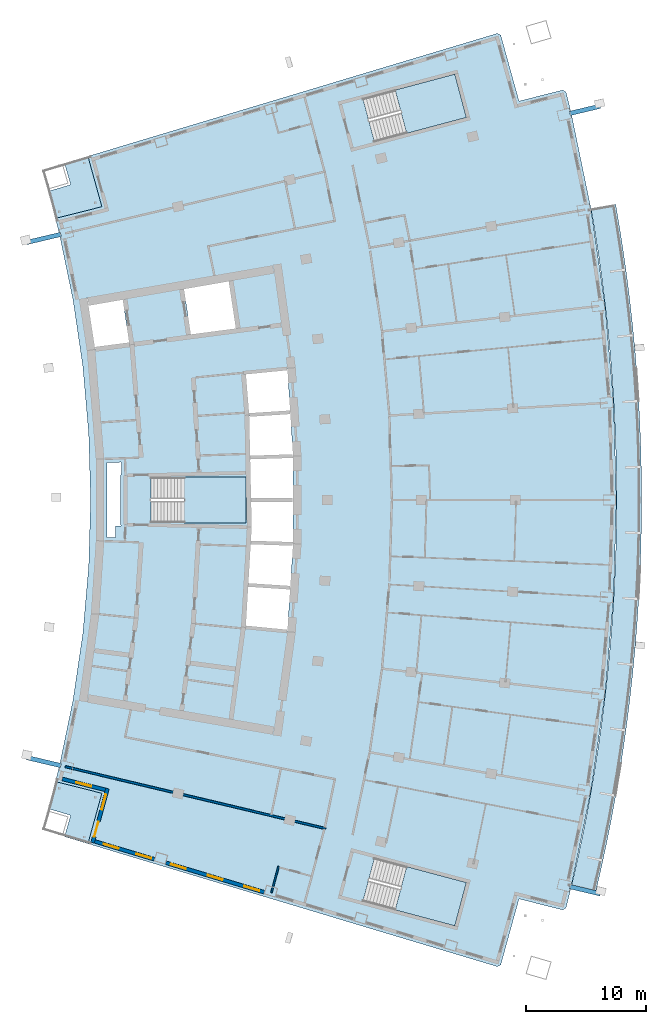
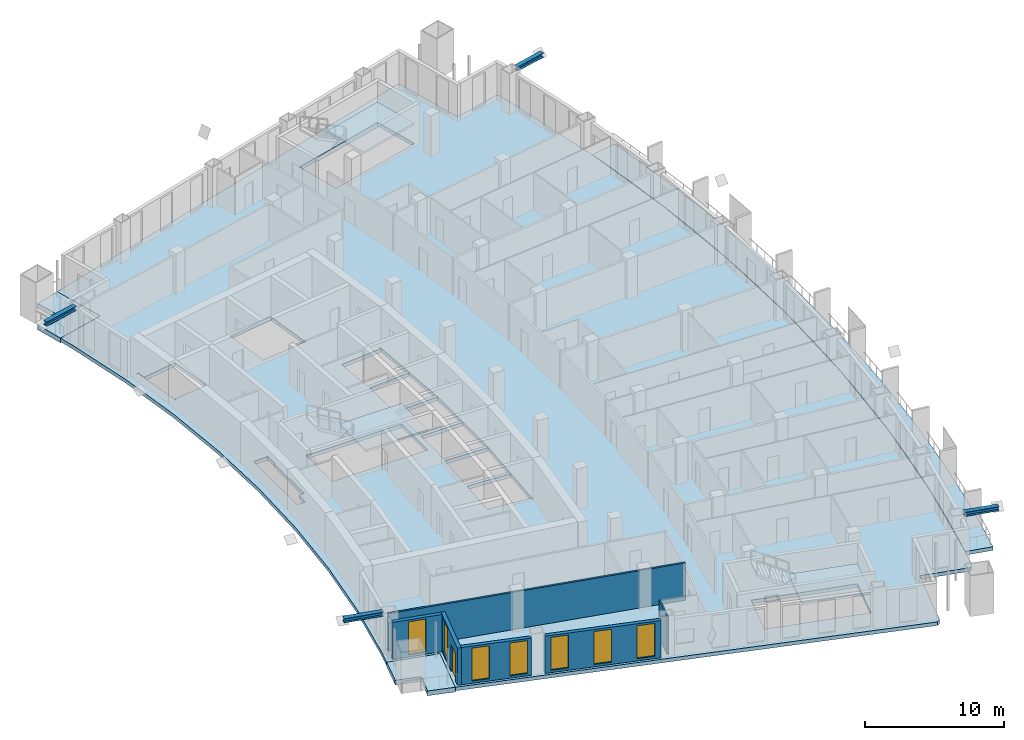
# One storey, part 9 of 20: 7 slabs, 7 windows, 6 walls, 4 members, 1 door, 8 openings, 3 elements without a shape of their own.
"""IFC4 building model written with IfcOpenShell, lengths in metres."""

from ifc_helpers import new_model, si_unit, direction, frame, frame_2d, origin, origin_2d, place, context, subcontext, project, spatial, polyline, rectangle, i_section, outline, extrude, material, layer, layer_set, material_profile, profile_set, type_object, element, fill, aggregate, save


model = new_model("IFC4")

# Units and contexts
model_context = context("Model", 3, precision=1e-05, world=origin(), true_north=direction((0.0, 1.0)))
body_context = subcontext(model_context, "Body", "Model", "MODEL_VIEW")
ifc_project = project(units=[si_unit("LENGTHUNIT", "METRE"), si_unit("AREAUNIT", "SQUARE_METRE"), si_unit("VOLUMEUNIT", "CUBIC_METRE"), si_unit("PLANEANGLEUNIT", "RADIAN"), si_unit("MASSUNIT", "GRAM", prefix="KILO")], contexts=[model_context])

# Site, building, storey
site_placement = place(None, origin())
site = spatial("IfcSite", under=ifc_project, at=site_placement, CompositionType="ELEMENT")
building_placement = place(site_placement, origin())
building = spatial("IfcBuilding", under=site, at=building_placement, Name="Alderwake Tower", CompositionType="ELEMENT")
storey_placement = place(building_placement, frame((0.0, 0.0, 167.60009765625)))
storey = spatial("IfcBuildingStorey", under=building, at=storey_placement, Name="L41", CompositionType="ELEMENT", Elevation=167.60009765625)

# Members
ifc_material_1 = material(Name="Steel ASTM A992 Grade 50", Category="steel")
ifc_material_profile = material_profile(ifc_material_1, i_section(OverallWidth=0.3740234375, OverallDepth=0.372314453125, WebThickness=0.016357421875, FlangeThickness=0.026123046875, at=origin_2d()), Name="W14X132")
ifc_profile_set = profile_set([ifc_material_profile], Name="Steel ASTM A992 Grade 50")
member_type = type_object("IfcMemberType", Name="Brace node stub W14X132", PredefinedType="MEMBER", material=ifc_profile_set)
member_1_placement = place(storey_placement, frame((56.1083984375, 28.650390625, 3.393798828125), z_axis=(0.973042574804, -0.230625557168, 0.0), x_axis=(0.230625557168, 0.973042574804, 0.0)))
element("IfcMember", 1, at=member_1_placement, inside=storey, type_object=member_type, Name="Brace node stub BS.FR03-C5.1712", PredefinedType="MEMBER", context=body_context, shape_type="SweptSolid", body=[
    extrude(i_section(OverallWidth=0.3740234375, OverallDepth=0.372314453125, WebThickness=0.016357421875, FlangeThickness=0.026123046875, at=origin_2d()), origin(), (0.0, 0.0, 1.0), 2.598876953125),
])
member_2_placement = place(storey_placement, frame((56.109375, 93.34619140625, 3.393798828125), z_axis=(0.972747717591, 0.231866077556, 0.0), x_axis=(-0.231866077556, 0.972747717591, 0.0)))
element("IfcMember", 2, at=member_2_placement, inside=storey, type_object=member_type, Name="Brace node stub BS.FR11-C5.1712", PredefinedType="MEMBER", context=body_context, shape_type="SweptSolid", body=[
    extrude(i_section(OverallWidth=0.3740234375, OverallDepth=0.372314453125, WebThickness=0.016357421875, FlangeThickness=0.026123046875, at=origin_2d()), origin(), (0.0, 0.0, 1.0), 2.5986328125),
])
for number, where, z_axis, x_axis, name in (
    (3, (13.49560546875, 38.779541015625, 3.393798828125), (-0.972901754928, 0.231218890357, 0.0), (-0.231218890357, -0.972901754928, 0.0), "Brace node stub BS.RR03-C0.1712"),
    (4, (13.49560546875, 83.220458984375, 3.393798828125), (-0.972901754928, -0.231218890357, 0.0), (0.231218890357, -0.972901754928, 0.0), "Brace node stub BS.RR11-C0.1712"),
):
    element("IfcMember", number, at=place(storey_placement, frame(where, z_axis=z_axis, x_axis=x_axis)), inside=storey, type_object=member_type, Name=name, PredefinedType="MEMBER", context=body_context, shape_type="SweptSolid", body=[
        extrude(i_section(OverallWidth=0.3740234375, OverallDepth=0.372314453125, WebThickness=0.016357421875, FlangeThickness=0.026123046875, at=origin_2d()), origin(), (0.0, 0.0, 1.0), 2.95849609375),
    ])

# Slabs
ifc_material_2 = material(Name="Concrete C50/60", Category="concrete")
ifc_layer_1 = layer(ifc_material_2, 0.320068359375)
ifc_layer_set_1 = layer_set([ifc_layer_1], Name="Balcony slab 320")
slab_type_1 = type_object("IfcSlabType", Name="Balcony slab 320", PredefinedType="FLOOR", material=ifc_layer_set_1)
slab_1_placement = place(storey_placement, frame((0.0, 0.0, -0.320068359375)))
element("IfcSlab", 5, at=slab_1_placement, inside=storey, type_object=slab_type_1, Name="Balcony BF03", PredefinedType="FLOOR", context=body_context, shape_type="SweptSolid", body=[
    extrude(outline(polyline([(58.713623046875, 30.162841796875), (59.148681640625, 32.189208984375), (59.553955078125, 34.22119140625), (59.9296875, 36.25927734375), (60.275634765625, 38.302490234375), (60.591552734375, 40.3505859375), (60.877685546875, 42.40283203125), (61.134033203125, 44.459228515625), (61.360107421875, 46.51904296875), (61.556396484375, 48.58203125), (61.722412109375, 50.647705078125), (61.8583984375, 52.715576171875), (61.964111328125, 54.78515625), (62.03955078125, 56.85595703125), (62.0849609375, 58.927734375), (62.10009765625, 61.0), (62.0849609375, 63.072265625), (62.03955078125, 65.14404296875), (61.964111328125, 67.21484375), (61.8583984375, 69.284423828125), (61.722412109375, 71.352294921875), (61.556396484375, 73.41796875), (61.360107421875, 75.48095703125), (61.134033203125, 77.540771484375), (60.877685546875, 79.59716796875), (60.591552734375, 81.6494140625), (60.275634765625, 83.697509765625), (59.9296875, 85.74072265625), (57.86181640625, 85.375), (58.202392578125, 83.362060546875), (58.513916015625, 81.344482421875), (58.7958984375, 79.322265625), (59.04833984375, 77.29638671875), (59.271240234375, 75.266845703125), (59.46435546875, 73.234375), (59.6279296875, 71.19921875), (59.761962890625, 69.162109375), (59.865966796875, 67.123046875), (59.9404296875, 65.082763671875), (59.985107421875, 63.04150390625), (60.0, 61.0), (59.985107421875, 58.95849609375), (59.9404296875, 56.917236328125), (59.865966796875, 54.876953125), (59.761962890625, 52.837890625), (59.6279296875, 50.80078125), (59.46435546875, 48.765625), (59.271240234375, 46.733154296875), (59.04833984375, 44.70361328125), (58.7958984375, 42.677734375), (58.513916015625, 40.655517578125), (58.202392578125, 38.637939453125), (57.86181640625, 36.625), (57.49169921875, 34.616943359375), (57.09228515625, 32.61474609375), (56.663818359375, 30.61865234375), (56.2060546875, 28.62890625), (58.249267578125, 28.143310546875), (58.713623046875, 30.162841796875)])), origin(), (0.0, 0.0, 1.0), 0.320068359375),
])
ifc_material_3 = material(Name="Concrete C50/60", Category="concrete")
ifc_layer_2 = layer(ifc_material_3, 0.320068359375)
ifc_layer_set_2 = layer_set([ifc_layer_2], Name="Concrete C50/60 post-tensioned flat plate 320")
slab_type_2 = type_object("IfcSlabType", Name="Concrete C50/60 post-tensioned flat plate 320", PredefinedType="FLOOR", material=ifc_layer_set_2)
slab_2_placement = place(storey_placement, frame((0.0, 0.0, -0.320068359375)))
element("IfcSlab", 6, at=slab_2_placement, inside=storey, type_object=slab_type_2, Name="Floor slab L41", PredefinedType="FLOOR", context=body_context, shape_type="SweptSolid", body=[
    extrude(outline(polyline([(13.06494140625, 37.443115234375), (13.3984375, 38.802734375), (14.53369140625, 44.28564453125), (15.347412109375, 49.825439453125), (15.836669921875, 55.4033203125), (16.0, 61.0), (15.836669921875, 66.5966796875), (15.347412109375, 72.174560546875), (14.53369140625, 77.71435546875), (13.3984375, 83.197265625), (13.06494140625, 84.556884765625), (16.942626953125, 85.53857421875), (15.776611328125, 89.7548828125), (50.035888671875, 100.04052734375), (50.3173828125, 99.885009765625), (51.841796875, 94.372314453125), (55.49658203125, 95.297607421875), (55.7744140625, 95.130615234375), (56.2060546875, 93.37109375), (57.86181640625, 85.375), (59.04833984375, 77.29638671875), (59.761962890625, 69.162109375), (60.0, 61.0), (59.761962890625, 52.837890625), (59.04833984375, 44.70361328125), (57.86181640625, 36.625), (56.2060546875, 28.62890625), (55.7744140625, 26.869384765625), (55.49658203125, 26.702392578125), (51.841796875, 27.627685546875), (50.3173828125, 22.114990234375), (50.035888671875, 21.95947265625), (15.776611328125, 32.2451171875), (16.942626953125, 36.46142578125), (13.06494140625, 37.443115234375)]), holes=[polyline([(28.9853515625, 50.430908203125), (28.989013671875, 50.430419921875), (28.994140625, 50.485595703125), (32.447509765625, 50.147705078125), (32.432861328125, 49.998291015625), (32.462646484375, 49.995361328125), (32.701416015625, 53.660888671875), (32.940185546875, 57.32666015625), (32.940185546875, 61.0), (32.940185546875, 64.67333984375), (32.701416015625, 68.339111328125), (32.462646484375, 72.004638671875), (32.432861328125, 72.001708984375), (32.447509765625, 71.852294921875), (28.993896484375, 71.514404296875), (29.256591796875, 68.264892578125), (32.66162109375, 68.48681640625), (32.67138671875, 68.337158203125), (32.68115234375, 68.1875), (29.278564453125, 67.9658203125), (29.274169921875, 68.032470703125), (29.2705078125, 68.0322265625), (29.34423828125, 64.70654296875), (32.9052734375, 64.822265625), (32.91015625, 64.67236328125), (32.9150390625, 64.5224609375), (29.350830078125, 64.406494140625), (29.4228515625, 61.14990234375), (32.91015625, 61.14990234375), (32.91015625, 61.0), (32.91015625, 60.85009765625), (29.429443359375, 60.85009765625), (29.4765625, 58.72314453125), (29.409423828125, 57.591552734375), (32.9150390625, 57.4775390625), (32.91015625, 57.32763671875), (32.9052734375, 57.177734375), (29.395751953125, 57.291748046875), (29.39599609375, 57.3017578125), (29.392333984375, 57.302001953125), (29.198974609375, 54.039306640625), (32.68115234375, 53.8125), (32.67138671875, 53.662841796875), (32.66162109375, 53.51318359375), (29.181396484375, 53.739990234375), (28.9853515625, 50.430908203125)]), polyline([(21.050048828125, 62.875), (21.050048828125, 59.125), (29.0, 59.125), (29.0, 62.875), (21.050048828125, 62.875)]), polyline([(15.739013671875, 77.927490234375), (15.5361328125, 77.8916015625), (15.536865234375, 77.887939453125), (15.716796875, 77.91552734375), (16.379150390625, 73.605712890625), (16.4091796875, 73.609619140625), (16.38330078125, 73.80810546875), (19.224853515625, 74.1796875), (18.689697265625, 77.74365234375), (18.885986328125, 77.773193359375), (18.8837890625, 77.787109375), (15.854248046875, 77.261962890625), (15.739013671875, 77.927490234375)]), polyline([(27.555419921875, 79.29052734375), (23.811767578125, 78.6416015625), (24.384033203125, 74.8583984375), (24.373291015625, 74.856689453125), (24.373779296875, 74.85302734375), (28.152587890625, 75.347412109375), (27.555419921875, 79.29052734375)]), polyline([(47.436279296875, 28.996826171875), (39.754150390625, 31.043212890625), (38.7890625, 27.41943359375), (46.47119140625, 25.373291015625), (47.436279296875, 28.996826171875)]), polyline([(46.47119140625, 96.626708984375), (38.7890625, 94.58056640625), (39.754150390625, 90.956787109375), (47.436279296875, 93.003173828125), (46.47119140625, 96.626708984375)]), polyline([(17.389404296875, 64.1220703125), (17.389404296875, 57.8779296875), (18.06298828125, 57.85400390625), (18.090576171875, 58.84375), (18.544189453125, 58.831298828125), (18.529296875, 58.8681640625), (18.5234375, 58.891845703125), (18.5185546875, 58.940673828125), (18.5185546875, 63.060302734375), (18.5234375, 63.109130859375), (18.53759765625, 63.156005859375), (18.560791015625, 63.19921875), (18.588623046875, 63.2333984375), (18.562744140625, 64.16357421875), (17.389404296875, 64.1220703125)])]), origin(), (0.0, 0.0, 1.0), 0.320068359375),
])

# Stair, slab
ifc_material_4 = material(Name="Concrete C40/50", Category="concrete")
stair_type = type_object("IfcStairType", Name="Core exit stair", PredefinedType="HALF_TURN_STAIR", material=ifc_material_4)
stair_1_placement = place(storey_placement, origin())
stair_1 = element("IfcStair", 7, at=stair_1_placement, inside=storey, type_object=stair_type, Name="L41 Exit Stair B", PredefinedType="HALF_TURN_STAIR")
ifc_material_5 = material(Name="Concrete C40/50", Category="concrete")
ifc_layer_3 = layer(ifc_material_5, 0.199951171875)
ifc_layer_set_3 = layer_set([ifc_layer_3], Name="Core stair landing 200")
slab_type_3 = type_object("IfcSlabType", Name="Core stair landing 200", PredefinedType="LANDING", material=ifc_layer_set_3)
slab_3_placement = place(storey_placement, frame((0.0, 0.0, 1.599853515625)))
slab_3 = element("IfcSlab", 8, at=slab_3_placement, type_object=slab_type_3, Name="ST-B landing 1", PredefinedType="LANDING", context=body_context, shape_type="SweptSolid", body=[
    extrude(outline(polyline([(23.830078125, 59.074951171875), (29.0, 59.074951171875), (29.0, 62.925048828125), (23.830078125, 62.925048828125), (23.830078125, 59.074951171875)])), origin(), (0.0, 0.0, 1.0), 0.199951171875),
])
aggregate(stair_1, [slab_3])

stair_2_placement = place(storey_placement, origin())
stair_2 = element("IfcStair", 9, at=stair_2_placement, inside=storey, type_object=stair_type, Name="L41 Exit Stair A", PredefinedType="HALF_TURN_STAIR")
slab_4_placement = place(storey_placement, frame((0.0, 0.0, 1.599853515625)))
slab_4 = element("IfcSlab", 10, at=slab_4_placement, type_object=slab_type_3, Name="ST-A landing 1", PredefinedType="LANDING", context=body_context, shape_type="SweptSolid", body=[
    extrude(outline(polyline([(42.440673828125, 91.67236328125), (47.436279296875, 93.003173828125), (46.47119140625, 96.626708984375), (41.475341796875, 95.296142578125), (42.440673828125, 91.67236328125)])), origin(), (0.0, 0.0, 1.0), 0.199951171875),
])
aggregate(stair_2, [slab_4])

stair_3_placement = place(storey_placement, origin())
stair_3 = element("IfcStair", 11, at=stair_3_placement, inside=storey, type_object=stair_type, Name="L41 Exit Stair C", PredefinedType="HALF_TURN_STAIR")
slab_5_placement = place(storey_placement, frame((0.0, 0.0, 1.599853515625)))
slab_5 = element("IfcSlab", 12, at=slab_5_placement, type_object=slab_type_3, Name="ST-C landing 1", PredefinedType="LANDING", context=body_context, shape_type="SweptSolid", body=[
    extrude(outline(polyline([(41.475341796875, 26.703857421875), (46.47119140625, 25.373291015625), (47.436279296875, 28.996826171875), (42.4404296875, 30.32763671875), (41.475341796875, 26.703857421875)])), origin(), (0.0, 0.0, 1.0), 0.199951171875),
])
aggregate(stair_3, [slab_5])

# Slabs
ifc_material_6 = material(Name="Concrete C50/60", Category="concrete")
ifc_layer_4 = layer(ifc_material_6, 0.419921875)
ifc_layer_set_4 = layer_set([ifc_layer_4], Name="Terrace slab 420")
slab_type_4 = type_object("IfcSlabType", Name="Terrace slab 420", PredefinedType="FLOOR", material=ifc_layer_set_4)
slab_6_placement = place(storey_placement, frame((0.0, 0.0, -0.420166015625)))
element("IfcSlab", 13, at=slab_6_placement, inside=storey, type_object=slab_type_4, Name="Corner terrace RS", PredefinedType="FLOOR", context=body_context, shape_type="SweptSolid", body=[
    extrude(outline(polyline([(15.776611328125, 32.2451171875), (13.768798828125, 32.847900390625), (13.77685546875, 32.851806640625), (13.789306640625, 32.859619140625), (13.801025390625, 32.868408203125), (13.81201171875, 32.878662109375), (13.82177734375, 32.8896484375), (13.830322265625, 32.901611328125), (13.837646484375, 32.914306640625), (13.84375, 32.927490234375), (13.8486328125, 32.94140625), (14.29443359375, 34.478271484375), (14.2978515625, 34.492431640625), (14.2998046875, 34.507080078125), (14.30029296875, 34.521728515625), (14.29931640625, 34.53662109375), (14.297119140625, 34.551025390625), (14.29345703125, 34.565185546875), (14.2880859375, 34.5791015625), (14.28173828125, 34.59228515625), (14.27392578125, 34.604736328125), (14.26513671875, 34.616455078125), (14.255126953125, 34.627197265625), (14.244140625, 34.63720703125), (14.232177734375, 34.645751953125), (14.219482421875, 34.653076171875), (14.2060546875, 34.6591796875), (14.192138671875, 34.6640625), (12.46337890625, 35.16552734375), (12.456787109375, 35.1669921875), (12.71142578125, 36.08837890625), (13.06494140625, 37.443115234375), (16.942626953125, 36.46142578125), (15.776611328125, 32.2451171875)])), origin(), (0.0, 0.0, 1.0), 0.420166015625),
])
slab_7_placement = place(storey_placement, frame((0.0, 0.0, -0.420166015625)))
element("IfcSlab", 14, at=slab_7_placement, inside=storey, type_object=slab_type_4, Name="Corner terrace RN", PredefinedType="FLOOR", context=body_context, shape_type="SweptSolid", body=[
    extrude(outline(polyline([(12.456787109375, 86.8330078125), (12.46337890625, 86.83447265625), (14.192138671875, 87.3359375), (14.2060546875, 87.3408203125), (14.219482421875, 87.346923828125), (14.232177734375, 87.354248046875), (14.244140625, 87.36279296875), (14.255126953125, 87.372802734375), (14.26513671875, 87.383544921875), (14.27392578125, 87.395263671875), (14.28173828125, 87.40771484375), (14.2880859375, 87.4208984375), (14.29345703125, 87.434814453125), (14.297119140625, 87.448974609375), (14.29931640625, 87.46337890625), (14.30029296875, 87.478271484375), (14.2998046875, 87.492919921875), (14.2978515625, 87.507568359375), (14.29443359375, 87.521728515625), (13.8486328125, 89.05859375), (13.84375, 89.072509765625), (13.837646484375, 89.085693359375), (13.830322265625, 89.098388671875), (13.82177734375, 89.1103515625), (13.81201171875, 89.121337890625), (13.801025390625, 89.131591796875), (13.789306640625, 89.140380859375), (13.77685546875, 89.148193359375), (13.768798828125, 89.152099609375), (15.776611328125, 89.7548828125), (16.942626953125, 85.53857421875), (13.06494140625, 84.556884765625), (12.71142578125, 85.91162109375), (12.456787109375, 86.8330078125)])), origin(), (0.0, 0.0, 1.0), 0.420166015625),
])

# Wall
ifc_material_7 = material(Name="Gypsum board on metal studs, rated")
ifc_layer_5 = layer(ifc_material_7, 0.159912109375)
ifc_layer_set_5 = layer_set([ifc_layer_5], Name="Corridor wall 160")
wall_type_1 = type_object("IfcWallType", Name="Corridor wall 160", PredefinedType="PARTITIONING", material=ifc_layer_set_5)
wall_1_placement = place(storey_placement, frame((13.884033203125, 38.68798828125, 0.0), z_axis=(0.0, 0.0, 1.0), x_axis=(0.972893462073, -0.231253781493, 0.0)))
element("IfcWall", 15, at=wall_1_placement, inside=storey, type_object=wall_type_1, Name="WL/L41/W10", PredefinedType="PARTITIONING", context=body_context, shape_type="SweptSolid", body=[
    extrude(rectangle(XDim=22.38037109375, YDim=0.159912109375, at=frame_2d((11.190185546875, 0.0))), origin(), (0.0, 0.0, 1.0), 3.27978515625),
])

# Wall, opening, window
ifc_material_8 = material(Name="Bronze metal cladding on lightweight framing")
ifc_layer_6 = layer(ifc_material_8, 0.300048828125)
ifc_layer_set_6 = layer_set([ifc_layer_6], Name="External wall EW2 bronze metal cladding")
wall_type_2 = type_object("IfcWallType", Name="External wall EW2 bronze metal cladding", PredefinedType="SOLIDWALL", material=ifc_layer_set_6)
wall_2_placement = place(storey_placement, frame((13.633056640625, 37.660400390625, 0.0), z_axis=(0.0, 0.0, 1.0), x_axis=(0.969417366605, -0.245417948254, 0.0)))
wall_2 = element("IfcWall", 16, at=wall_2_placement, inside=storey, type_object=wall_type_2, Name="External wall 2", PredefinedType="SOLIDWALL", context=body_context, shape_type="SweptSolid", body=[
    extrude(rectangle(XDim=3.70556640625, YDim=0.300048828125, at=frame_2d((1.852783203125, 0.0))), origin(), (0.0, 0.0, 1.0), 3.27978515625),
])
opening_1_placement = place(wall_2_placement, frame((1.202880859375, 0.0, 0.199951171875)))
opening_1 = element("IfcOpeningElement", 17, at=opening_1_placement, cuts=wall_2, Name="Opening W1", PredefinedType="OPENING", context=body_context, shape_type="SweptSolid", body=[
    extrude(rectangle(XDim=1.300048828125, YDim=2.89990234375, at=frame_2d((0.64990234375, 1.449951171875))), frame((0.0, 0.159912109375, 0.0), z_axis=(0.0, -1.0, 0.0), x_axis=(1.0, 0.0, 0.0)), (0.0, 0.0, 1.0), 0.320068359375),
])
ifc_material_9 = material(Name="Bronze tinted glass in aluminium frame", Category="aluminium")
window_type = type_object("IfcWindowType", Name="Window W1 tall fixed and vent", PartitioningType="DOUBLE_PANEL_VERTICAL", PredefinedType="WINDOW", material=ifc_material_9)
window_1_placement = place(opening_1_placement, origin())
window_1 = element("IfcWindow", 18, at=window_1_placement, inside=storey, type_object=window_type, Name="Window W1 tall fixed and vent", OverallHeight=2.89990234375, OverallWidth=1.300048828125, PartitioningType="DOUBLE_PANEL_VERTICAL", PredefinedType="WINDOW", context=body_context, shape_type="SweptSolid", body=[
    extrude(rectangle(XDim=1.300048828125, YDim=2.89990234375, at=frame_2d((0.64990234375, 1.449951171875))), frame((0.0, 0.030029296875, 0.0), z_axis=(0.0, -1.0, 0.0), x_axis=(1.0, 0.0, 0.0)), (0.0, 0.0, 1.0), 0.06005859375),
])
fill(opening_1, window_1)

# Wall, openings, door, window
wall_3_placement = place(storey_placement, frame((17.410400390625, 36.85888671875, 0.0), z_axis=(0.0, 0.0, 1.0), x_axis=(-0.264592640785, -0.96436027212, 0.0)))
wall_3 = element("IfcWall", 19, at=wall_3_placement, inside=storey, type_object=wall_type_2, Name="External wall 3", PredefinedType="SOLIDWALL", context=body_context, shape_type="SweptSolid", body=[
    extrude(rectangle(XDim=4.690185546875, YDim=0.300048828125, at=frame_2d((2.34521484375, 0.0))), origin(), (0.0, 0.0, 1.0), 3.27978515625),
])
opening_2_placement = place(wall_3_placement, frame((0.5224609375, 0.0, 0.199951171875)))
opening_2 = element("IfcOpeningElement", 20, at=opening_2_placement, cuts=wall_3, Name="Opening W1", PredefinedType="OPENING", context=body_context, shape_type="SweptSolid", body=[
    extrude(rectangle(XDim=1.300048828125, YDim=2.89990234375, at=frame_2d((0.64990234375, 1.449951171875))), frame((0.0, 0.159912109375, 0.0), z_axis=(0.0, -1.0, 0.0), x_axis=(1.0, 0.0, 0.0)), (0.0, 0.0, 1.0), 0.320068359375),
])
opening_3_placement = place(wall_3_placement, frame((2.867431640625, 0.0, 0.0)))
opening_3 = element("IfcOpeningElement", 21, at=opening_3_placement, cuts=wall_3, Name="Opening D01", PredefinedType="OPENING", context=body_context, shape_type="SweptSolid", body=[
    extrude(rectangle(XDim=1.300048828125, YDim=2.39990234375, at=frame_2d((0.64990234375, 1.199951171875))), frame((0.0, 0.159912109375, 0.0), z_axis=(0.0, -1.0, 0.0), x_axis=(1.0, 0.0, 0.0)), (0.0, 0.0, 1.0), 0.320068359375),
])
ifc_material_10 = material(Name="Bronze tinted glass in aluminium frame", Category="aluminium")
door_type = type_object("IfcDoorType", Name="Balcony door BD sliding", OperationType="SLIDING_TO_LEFT", PredefinedType="DOOR", material=ifc_material_10)
door_placement = place(opening_3_placement, origin())
door = element("IfcDoor", 22, at=door_placement, inside=storey, type_object=door_type, Name="Door D01", OperationType="SLIDING_TO_LEFT", OverallHeight=2.39990234375, OverallWidth=1.300048828125, PredefinedType="DOOR", context=body_context, shape_type="SweptSolid", body=[
    extrude(rectangle(XDim=1.300048828125, YDim=2.39990234375, at=frame_2d((0.64990234375, 1.199951171875))), frame((0.0, 0.02490234375, 0.0), z_axis=(0.0, -1.0, 0.0), x_axis=(1.0, 0.0, 0.0)), (0.0, 0.0, 1.0), 0.050048828125),
])
fill(opening_3, door)
window_2_placement = place(opening_2_placement, origin())
window_2 = element("IfcWindow", 23, at=window_2_placement, inside=storey, type_object=window_type, Name="Window W1 tall fixed and vent", OverallHeight=2.89990234375, OverallWidth=1.300048828125, PartitioningType="DOUBLE_PANEL_VERTICAL", PredefinedType="WINDOW", context=body_context, shape_type="SweptSolid", body=[
    extrude(rectangle(XDim=1.300048828125, YDim=2.89990234375, at=frame_2d((0.64990234375, 1.449951171875))), frame((0.0, 0.030029296875, 0.0), z_axis=(0.0, -1.0, 0.0), x_axis=(1.0, 0.0, 0.0)), (0.0, 0.0, 1.0), 0.06005859375),
])
fill(opening_2, window_2)

# Wall, openings, windows
wall_4_placement = place(storey_placement, frame((16.352783203125, 32.4375, 0.0), z_axis=(0.0, 0.0, 1.0), x_axis=(0.95776681843, -0.287546033732, 0.0)))
wall_4 = element("IfcWall", 24, at=wall_4_placement, inside=storey, type_object=wall_type_2, Name="External wall 4", PredefinedType="SOLIDWALL", context=body_context, shape_type="SweptSolid", body=[
    extrude(rectangle(XDim=5.199462890625, YDim=0.300048828125, at=frame_2d((2.599609375, 0.0))), origin(), (0.0, 0.0, 1.0), 3.27978515625),
])
opening_4_placement = place(wall_4_placement, frame((0.775390625, 0.0, 0.199951171875)))
opening_4 = element("IfcOpeningElement", 25, at=opening_4_placement, cuts=wall_4, Name="Opening W1", PredefinedType="OPENING", context=body_context, shape_type="SweptSolid", body=[
    extrude(rectangle(XDim=1.300048828125, YDim=2.89990234375, at=frame_2d((0.64990234375, 1.449951171875))), frame((0.0, 0.159912109375, 0.0), z_axis=(0.0, -1.0, 0.0), x_axis=(1.0, 0.0, 0.0)), (0.0, 0.0, 1.0), 0.320068359375),
])
opening_5_placement = place(wall_4_placement, frame((3.626220703125, 0.0, 0.199951171875)))
opening_5 = element("IfcOpeningElement", 26, at=opening_5_placement, cuts=wall_4, Name="Opening W1", PredefinedType="OPENING", context=body_context, shape_type="SweptSolid", body=[
    extrude(rectangle(XDim=1.300048828125, YDim=2.89990234375, at=frame_2d((0.64990234375, 1.449951171875))), frame((0.0, 0.159912109375, 0.0), z_axis=(0.0, -1.0, 0.0), x_axis=(1.0, 0.0, 0.0)), (0.0, 0.0, 1.0), 0.320068359375),
])
window_3_placement = place(opening_4_placement, origin())
window_3 = element("IfcWindow", 27, at=window_3_placement, inside=storey, type_object=window_type, Name="Window W1 tall fixed and vent", OverallHeight=2.89990234375, OverallWidth=1.300048828125, PartitioningType="DOUBLE_PANEL_VERTICAL", PredefinedType="WINDOW", context=body_context, shape_type="SweptSolid", body=[
    extrude(rectangle(XDim=1.300048828125, YDim=2.89990234375, at=frame_2d((0.64990234375, 1.449951171875))), frame((0.0, 0.030029296875, 0.0), z_axis=(0.0, -1.0, 0.0), x_axis=(1.0, 0.0, 0.0)), (0.0, 0.0, 1.0), 0.06005859375),
])
fill(opening_4, window_3)
window_4_placement = place(opening_5_placement, origin())
window_4 = element("IfcWindow", 28, at=window_4_placement, inside=storey, type_object=window_type, Name="Window W1 tall fixed and vent", OverallHeight=2.89990234375, OverallWidth=1.300048828125, PartitioningType="DOUBLE_PANEL_VERTICAL", PredefinedType="WINDOW", context=body_context, shape_type="SweptSolid", body=[
    extrude(rectangle(XDim=1.300048828125, YDim=2.89990234375, at=frame_2d((0.64990234375, 1.449951171875))), frame((0.0, 0.030029296875, 0.0), z_axis=(0.0, -1.0, 0.0), x_axis=(1.0, 0.0, 0.0)), (0.0, 0.0, 1.0), 0.06005859375),
])
fill(opening_5, window_4)

wall_5_placement = place(storey_placement, frame((22.294677734375, 30.653564453125, 0.0), z_axis=(0.0, 0.0, 1.0), x_axis=(0.957768419769, -0.287540699891, 0.0)))
wall_5 = element("IfcWall", 29, at=wall_5_placement, inside=storey, type_object=wall_type_2, Name="External wall 5", PredefinedType="SOLIDWALL", context=body_context, shape_type="SweptSolid", body=[
    extrude(rectangle(XDim=8.595947265625, YDim=0.300048828125, at=frame_2d((4.2978515625, 0.0))), origin(), (0.0, 0.0, 1.0), 3.27978515625),
])
opening_6_placement = place(wall_5_placement, frame((0.44775390625, 0.0, 0.199951171875)))
opening_6 = element("IfcOpeningElement", 30, at=opening_6_placement, cuts=wall_5, Name="Opening W1", PredefinedType="OPENING", context=body_context, shape_type="SweptSolid", body=[
    extrude(rectangle(XDim=1.300048828125, YDim=2.89990234375, at=frame_2d((0.64990234375, 1.449951171875))), frame((0.0, 0.159912109375, 0.0), z_axis=(0.0, -1.0, 0.0), x_axis=(1.0, 0.0, 0.0)), (0.0, 0.0, 1.0), 0.320068359375),
])
opening_7_placement = place(wall_5_placement, frame((3.647705078125, 0.0, 0.199951171875)))
opening_7 = element("IfcOpeningElement", 31, at=opening_7_placement, cuts=wall_5, Name="Opening W1", PredefinedType="OPENING", context=body_context, shape_type="SweptSolid", body=[
    extrude(rectangle(XDim=1.300048828125, YDim=2.89990234375, at=frame_2d((0.64990234375, 1.449951171875))), frame((0.0, 0.159912109375, 0.0), z_axis=(0.0, -1.0, 0.0), x_axis=(1.0, 0.0, 0.0)), (0.0, 0.0, 1.0), 0.320068359375),
])
opening_8_placement = place(wall_5_placement, frame((6.847900390625, 0.0, 0.199951171875)))
opening_8 = element("IfcOpeningElement", 32, at=opening_8_placement, cuts=wall_5, Name="Opening W1", PredefinedType="OPENING", context=body_context, shape_type="SweptSolid", body=[
    extrude(rectangle(XDim=1.300048828125, YDim=2.89990234375, at=frame_2d((0.64990234375, 1.449951171875))), frame((0.0, 0.159912109375, 0.0), z_axis=(0.0, -1.0, 0.0), x_axis=(1.0, 0.0, 0.0)), (0.0, 0.0, 1.0), 0.320068359375),
])
window_5_placement = place(opening_6_placement, origin())
window_5 = element("IfcWindow", 33, at=window_5_placement, inside=storey, type_object=window_type, Name="Window W1 tall fixed and vent", OverallHeight=2.89990234375, OverallWidth=1.300048828125, PartitioningType="DOUBLE_PANEL_VERTICAL", PredefinedType="WINDOW", context=body_context, shape_type="SweptSolid", body=[
    extrude(rectangle(XDim=1.300048828125, YDim=2.89990234375, at=frame_2d((0.64990234375, 1.449951171875))), frame((0.0, 0.030029296875, 0.0), z_axis=(0.0, -1.0, 0.0), x_axis=(1.0, 0.0, 0.0)), (0.0, 0.0, 1.0), 0.06005859375),
])
fill(opening_6, window_5)
window_6_placement = place(opening_7_placement, origin())
window_6 = element("IfcWindow", 34, at=window_6_placement, inside=storey, type_object=window_type, Name="Window W1 tall fixed and vent", OverallHeight=2.89990234375, OverallWidth=1.300048828125, PartitioningType="DOUBLE_PANEL_VERTICAL", PredefinedType="WINDOW", context=body_context, shape_type="SweptSolid", body=[
    extrude(rectangle(XDim=1.300048828125, YDim=2.89990234375, at=frame_2d((0.64990234375, 1.449951171875))), frame((0.0, 0.030029296875, 0.0), z_axis=(0.0, -1.0, 0.0), x_axis=(1.0, 0.0, 0.0)), (0.0, 0.0, 1.0), 0.06005859375),
])
fill(opening_7, window_6)
window_7_placement = place(opening_8_placement, origin())
window_7 = element("IfcWindow", 35, at=window_7_placement, inside=storey, type_object=window_type, Name="Window W1 tall fixed and vent", OverallHeight=2.89990234375, OverallWidth=1.300048828125, PartitioningType="DOUBLE_PANEL_VERTICAL", PredefinedType="WINDOW", context=body_context, shape_type="SweptSolid", body=[
    extrude(rectangle(XDim=1.300048828125, YDim=2.89990234375, at=frame_2d((0.64990234375, 1.449951171875))), frame((0.0, 0.030029296875, 0.0), z_axis=(0.0, -1.0, 0.0), x_axis=(1.0, 0.0, 0.0)), (0.0, 0.0, 1.0), 0.06005859375),
])
fill(opening_8, window_7)

# Wall
ifc_material_11 = material(Name="Moisture resistant gypsum board on metal studs")
ifc_layer_7 = layer(ifc_material_11, 0.1201171875)
ifc_layer_set_7 = layer_set([ifc_layer_7], Name="Wet room partition 120")
wall_type_3 = type_object("IfcWallType", Name="Wet room partition 120", PredefinedType="PARTITIONING", material=ifc_layer_set_7)
wall_6_placement = place(storey_placement, frame((31.72265625, 30.343017578125, 0.0), z_axis=(0.0, 0.0, 1.0), x_axis=(-0.259787988076, -0.965665677785, 0.0)))
element("IfcWall", 36, at=wall_6_placement, inside=storey, type_object=wall_type_3, Name="WL/L41/W30", PredefinedType="PARTITIONING", context=body_context, shape_type="SweptSolid", body=[
    extrude(rectangle(XDim=2.265869140625, YDim=0.1201171875, at=frame_2d((1.1328125, 0.0))), origin(), (0.0, 0.0, 1.0), 3.27978515625),
])

save(model, "model.ifc")
